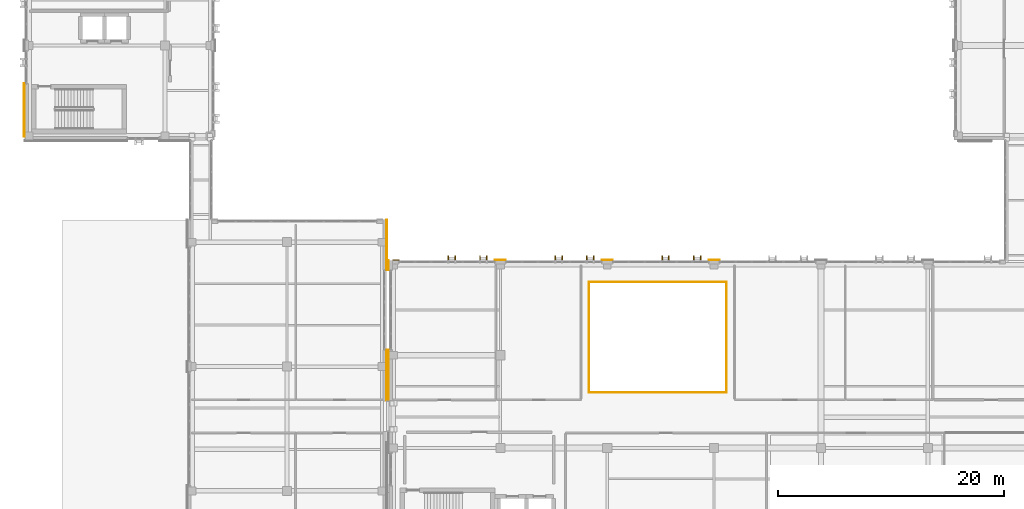
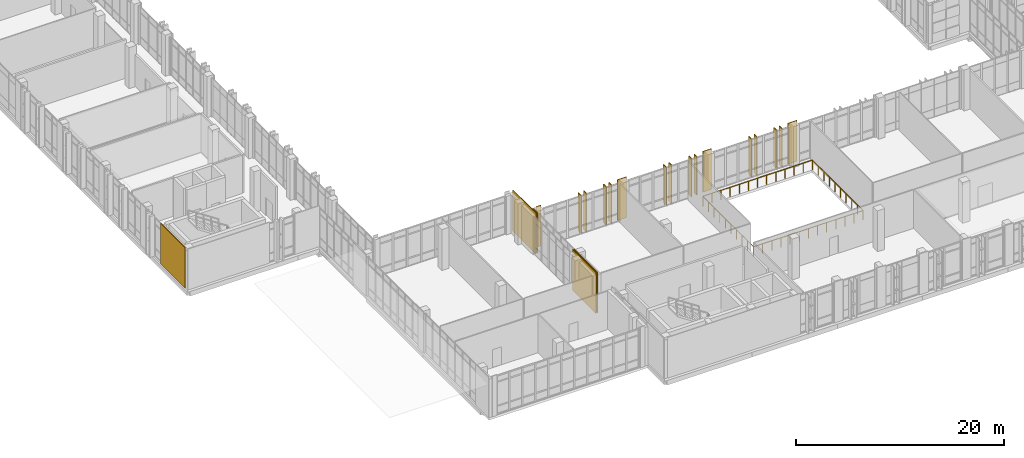
# One storey, part 171 of 189: 12 shading devices, 9 coverings, 4 railings.
"""IFC4 building model written with IfcOpenShell, lengths in metres."""

import ifcopenshell
import ifcopenshell.guid

model = None  # the IFC model being written
_history = None  # IfcOwnerHistory: only IFC2X3 demands one
_inside = {}  # id of a spatial element -> (the spatial element, [elements in it])
_under = {}  # id of a project, library or spatial element -> (it, [spatial elements below it])
_declared = {}  # id of a project -> (the project, [libraries it declares])
_typed = {}  # id of a type object -> (the type object, [elements of that type])
_made_of = {}  # id of a material, layer set ... -> (it, [elements and type objects made of it])


def new_model(schema):
    """Start an empty IFC model of exactly this schema.

    Asked for "IFC4X3", IfcOpenShell would pick the latest addendum, in which some entities
    have other attributes; the version numbers below select the first issue.
    IFC2X3 requires an IfcOwnerHistory on every rooted entity: one is made here for all.
    """
    global model, _history
    if schema == "IFC4X3":
        model = ifcopenshell.file(schema_version=(4, 3, 0, 0))
    else:
        model = ifcopenshell.file(schema=schema)
    _inside.clear()
    _under.clear()
    _declared.clear()
    _typed.clear()
    _made_of.clear()
    _history = None
    if model.schema == "IFC2X3":
        org = make("IfcOrganization", Name="unknown")
        user = make(
            "IfcPersonAndOrganization",
            ThePerson=make("IfcPerson", FamilyName="unknown"),
            TheOrganization=org,
        )
        app = make(
            "IfcApplication",
            ApplicationDeveloper=org,
            Version="unknown",
            ApplicationFullName="unknown",
            ApplicationIdentifier="unknown",
        )
        _history = make(
            "IfcOwnerHistory",
            OwningUser=user,
            OwningApplication=app,
            ChangeAction="ADDED",
            CreationDate=0,
        )
    return model


def make(cls, **values):
    """One entity of the class cls with the attributes given. An attribute that is None is left unset."""
    return model.create_entity(
        cls, **{name: value for name, value in values.items() if value is not None}
    )


def rooted(cls, **values):
    """An entity with a GlobalId (a new one), such as an element, a storey or a relation."""
    return make(cls, GlobalId=ifcopenshell.guid.new(), OwnerHistory=_history, **values)


def si_unit(unit_type, name, prefix=None):
    """IfcSIUnit, for example si_unit("LENGTHUNIT", "METRE", prefix="MILLI")."""
    return make("IfcSIUnit", UnitType=unit_type, Prefix=prefix, Name=name)


def assignment(units):
    """IfcUnitAssignment: the units of a project."""
    return None if units is None else make("IfcUnitAssignment", Units=units)


def point(xyz):
    """IfcCartesianPoint."""
    return None if xyz is None else make("IfcCartesianPoint", Coordinates=xyz)


def direction(xyz):
    """IfcDirection."""
    return None if xyz is None else make("IfcDirection", DirectionRatios=xyz)


def frame(location, z_axis=None, x_axis=None):
    """IfcAxis2Placement3D, a coordinate frame: its origin and axes. An axis left out is left unset."""
    return make(
        "IfcAxis2Placement3D",
        Location=point(location),
        Axis=direction(z_axis),
        RefDirection=direction(x_axis),
    )


def frame_2d(location, x_axis=None):
    """IfcAxis2Placement2D, a coordinate frame in the plane: its origin and x axis."""
    return make(
        "IfcAxis2Placement2D", Location=point(location), RefDirection=direction(x_axis)
    )


def origin():
    """The frame at (0, 0, 0) with its axes left unset."""
    return frame((0.0, 0.0, 0.0))


def origin_2d():
    """The frame at (0, 0) in the plane with its x axis left unset."""
    return frame_2d((0.0, 0.0))


def place(relative_to, where):
    """IfcLocalPlacement: puts the frame where relative to a parent placement (None: the world)."""
    return make(
        "IfcLocalPlacement", PlacementRelTo=relative_to, RelativePlacement=where
    )


def context(
    kind, dimensions, precision=None, world=None, true_north=None, identifier=None
):
    """IfcGeometricRepresentationContext, for example the 3D "Model" context."""
    return make(
        "IfcGeometricRepresentationContext",
        ContextIdentifier=identifier,
        ContextType=kind,
        CoordinateSpaceDimension=dimensions,
        Precision=precision,
        WorldCoordinateSystem=world,
        TrueNorth=true_north,
    )


def subcontext(parent, identifier, kind, view, scale=None):
    """IfcGeometricRepresentationSubContext, for example "Body" below "Model"."""
    return make(
        "IfcGeometricRepresentationSubContext",
        ContextIdentifier=identifier,
        ContextType=kind,
        ParentContext=parent,
        TargetScale=scale,
        TargetView=view,
    )


def project(units=None, contexts=None):
    """IfcProject with its units and contexts."""
    return rooted(
        "IfcProject",
        Name="project",
        RepresentationContexts=contexts,
        UnitsInContext=assignment(units),
    )


def spatial(cls, under=None, at=None, **own):
    """A site, building, storey or space (cls), placed at a placement, below another one or the project."""
    s = rooted(cls, ObjectPlacement=at, **own)
    if under is not None:
        _under.setdefault(under.id(), (under, []))[1].append(s)
    return s


def profile(cls, at=None, kind="AREA", **sizes):
    """A parametric profile (cls). Its sizes go by their IFC names, for example OverallWidth=200.0."""
    return make(cls, ProfileType=kind, Position=at, **sizes)


def rectangle(**sizes):
    """IfcRectangleProfileDef."""
    return profile("IfcRectangleProfileDef", **sizes)


def circle(**sizes):
    """IfcCircleProfileDef."""
    return profile("IfcCircleProfileDef", **sizes)


def extrude(swept, where, along, depth):
    """IfcExtrudedAreaSolid: the profile swept, set in the frame where, extruded along a direction by depth."""
    return make(
        "IfcExtrudedAreaSolid",
        SweptArea=swept,
        Position=where,
        ExtrudedDirection=direction(along),
        Depth=depth,
    )


def shape(context_of_items, identifier, shape_type, items):
    """IfcShapeRepresentation: the items that make up one representation, for example the "Body"."""
    return make(
        "IfcShapeRepresentation",
        ContextOfItems=context_of_items,
        RepresentationIdentifier=identifier,
        RepresentationType=shape_type,
        Items=items,
    )


def material(Name=None, Category=None):
    """IfcMaterial."""
    return make("IfcMaterial", Name=Name, Category=Category)


def layer(
    of_material, thickness, ventilated=None, Name=None, Category=None, Priority=None
):
    """IfcMaterialLayer: one layer of a wall or slab, of a material (None: an air gap)."""
    return make(
        "IfcMaterialLayer",
        Material=of_material,
        LayerThickness=thickness,
        IsVentilated=ventilated,
        Name=Name,
        Category=Category,
        Priority=Priority,
    )


def layer_set(layers, Name=None):
    """IfcMaterialLayerSet."""
    return make("IfcMaterialLayerSet", MaterialLayers=layers, LayerSetName=Name)


def made_of(thing, what):
    """Note that an element or type object is made of a material, layer set ...; save() writes the relation."""
    if what is not None:
        _made_of.setdefault(what.id(), (what, []))[1].append(thing)
    return thing


def type_object(cls, material=None, **own):
    """A type object (cls), such as IfcWallType, which elements share."""
    return made_of(rooted(cls, **own), material)


def element(
    cls,
    number,
    at=None,
    inside=None,
    cuts=None,
    type_object=None,
    material=None,
    context=None,
    identifier="Body",
    shape_type=None,
    held_by="IfcProductDefinitionShape",
    body=None,
    shapes=None,
    **own,
):
    """One element of the class cls, such as IfcWall. Its Tag is "e" and its number.

    at: its placement. inside: the storey or other place that contains it. cuts: it is an
    opening in that element (IfcRelVoidsElement). A single representation is given by context,
    identifier, shape_type and body (its items); several are given by shapes. held_by: the class
    of the entity that holds the representations. save() writes the other relations.
    """
    e = rooted(cls, Tag="e%d" % number, ObjectPlacement=at, **own)
    if body is not None:
        shapes = [shape(context, identifier, shape_type, body)]
    if shapes is not None:
        e.Representation = make(held_by, Representations=shapes)
    if inside is not None:
        _inside.setdefault(inside.id(), (inside, []))[1].append(e)
    if cuts is not None:
        rooted(
            "IfcRelVoidsElement", RelatingBuildingElement=cuts, RelatedOpeningElement=e
        )
    if type_object is not None:
        _typed.setdefault(type_object.id(), (type_object, []))[1].append(e)
    return made_of(e, material)


def aggregate(whole, parts):
    """IfcRelAggregates: a whole, such as a stair, and the parts it consists of."""
    return rooted("IfcRelAggregates", RelatingObject=whole, RelatedObjects=parts)


def save(model, path):
    """Write the relations noted so far, then the file.

    IfcRelAggregates (storeys below a building ...), IfcRelContainedInSpatialStructure (elements
    in a storey), IfcRelDefinesByType, IfcRelAssociatesMaterial and IfcRelDeclares: one each for
    every whole, place, type object, material and project.
    """
    for whole, parts in _under.values():
        aggregate(whole, parts)
    for where, things in _inside.values():
        rooted(
            "IfcRelContainedInSpatialStructure",
            RelatedElements=things,
            RelatingStructure=where,
        )
    for kind, things in _typed.values():
        rooted("IfcRelDefinesByType", RelatedObjects=things, RelatingType=kind)
    for what, things in _made_of.values():
        rooted("IfcRelAssociatesMaterial", RelatedObjects=things, RelatingMaterial=what)
    for by, libraries in _declared.values():
        rooted("IfcRelDeclares", RelatingContext=by, RelatedDefinitions=libraries)
    model.write(path)


model = new_model("IFC4")

# Units and contexts
model_context = context("Model", 3, precision=1e-05, world=origin(), true_north=direction((0.0, 1.0)))
body_context = subcontext(model_context, "Body", "Model", "MODEL_VIEW")
ifc_project = project(units=[si_unit("LENGTHUNIT", "METRE"), si_unit("AREAUNIT", "SQUARE_METRE"), si_unit("VOLUMEUNIT", "CUBIC_METRE"), si_unit("PLANEANGLEUNIT", "RADIAN"), si_unit("MASSUNIT", "GRAM", prefix="KILO")], contexts=[model_context])

# Site, building, storey
site_placement = place(None, origin())
site = spatial("IfcSite", under=ifc_project, at=site_placement, CompositionType="ELEMENT")
building_placement = place(site_placement, origin())
building = spatial("IfcBuilding", under=site, at=building_placement, Name="Qalavern Law Courts", CompositionType="ELEMENT")
storey_placement = place(building_placement, frame((0.0, 0.0, 5.39990234375)))
storey = spatial("IfcBuildingStorey", under=building, at=storey_placement, Name="L01", CompositionType="ELEMENT", Elevation=5.39990234375)

# Coverings
ifc_material_1 = material(Name="Precast concrete C40/50", Category="concrete")
ifc_layer = layer(ifc_material_1, 0.072021484375)
ifc_layer_set = layer_set([ifc_layer], Name="Precast concrete C40/50")
covering_type = type_object("IfcCoveringType", Name="ENV-CLD-2", PredefinedType="CLADDING", material=ifc_layer_set)
covering_1_placement = place(storey_placement, frame((34.032958984375, 20.22509765625, 0.01025390625), z_axis=(0.0, 0.0, 1.0), x_axis=(0.0, 1.0, 0.0)))
element("IfcCovering", 1, at=covering_1_placement, inside=storey, type_object=covering_type, Name="V1 Absheron limestone pier facing L01 east 1", PredefinedType="CLADDING", context=body_context, shape_type="SweptSolid", body=[
    extrude(rectangle(XDim=4.530029296875, YDim=0.072021484375, at=origin_2d()), origin(), (0.0, 0.0, 1.0), 4.780029296875),
])
covering_2_placement = place(storey_placement, frame((34.032958984375, 31.75, 0.01025390625), z_axis=(0.0, 0.0, 1.0), x_axis=(0.0, 1.0, 0.0)))
element("IfcCovering", 2, at=covering_2_placement, inside=storey, type_object=covering_type, Name="V1 Absheron limestone pier facing L01 east 2", PredefinedType="CLADDING", context=body_context, shape_type="SweptSolid", body=[
    extrude(rectangle(XDim=4.47998046875, YDim=0.072021484375, at=origin_2d()), origin(), (0.0, 0.0, 1.0), 4.780029296875),
])
for number, where, z_axis, x_axis, name in (
    (3, (62.98291015625, 30.43310546875, 0.01025390625), (0.0, 0.0, 1.0), (-1.0, 0.0, 0.0), "V2 Absheron limestone pier facing L01 north 4"),
    (4, (53.528564453125, 30.43310546875, 0.01025390625), (0.0, 0.0, 1.0), (-1.0, 0.0, 0.0), "V2 Absheron limestone pier facing L01 north 5"),
    (5, (44.07421875, 30.43310546875, 0.01025390625), (0.0, 0.0, 1.0), (-1.0, 0.0, 0.0), "V2 Absheron limestone pier facing L01 north 6"),
):
    element("IfcCovering", number, at=place(storey_placement, frame(where, z_axis=z_axis, x_axis=x_axis)), inside=storey, type_object=covering_type, Name=name, PredefinedType="CLADDING", context=body_context, shape_type="SweptSolid", body=[
        extrude(rectangle(XDim=0.97998046875, YDim=0.072021484375, at=origin_2d()), origin(), (0.0, 0.0, 1.0), 4.780029296875),
    ])
covering_3_placement = place(storey_placement, frame((34.830078125, 30.43310546875, 0.01025390625), z_axis=(0.0, 0.0, 1.0), x_axis=(-1.0, 0.0, 0.0)))
element("IfcCovering", 6, at=covering_3_placement, inside=storey, type_object=covering_type, Name="V2 Absheron limestone pier facing L01 north 7", PredefinedType="CLADDING", context=body_context, shape_type="SweptSolid", body=[
    extrude(rectangle(XDim=0.56005859375, YDim=0.072021484375, at=origin_2d()), origin(), (0.0, 0.0, 1.0), 4.780029296875),
])
covering_4_placement = place(storey_placement, frame((34.18701171875, 29.949951171875, 0.01025390625), z_axis=(0.0, 0.0, 1.0), x_axis=(0.0, -1.0, 0.0)))
element("IfcCovering", 7, at=covering_4_placement, inside=storey, type_object=covering_type, Name="V2 Absheron limestone pier facing L01 west 1", PredefinedType="CLADDING", context=body_context, shape_type="SweptSolid", body=[
    extrude(rectangle(XDim=0.8798828125, YDim=0.072021484375, at=origin_2d()), origin(), (0.0, 0.0, 1.0), 4.780029296875),
])
covering_5_placement = place(storey_placement, frame((34.18701171875, 20.22509765625, 0.01025390625), z_axis=(0.0, 0.0, 1.0), x_axis=(0.0, -1.0, 0.0)))
element("IfcCovering", 8, at=covering_5_placement, inside=storey, type_object=covering_type, Name="V2 Absheron limestone pier facing L01 west 2", PredefinedType="CLADDING", context=body_context, shape_type="SweptSolid", body=[
    extrude(rectangle(XDim=4.530029296875, YDim=0.072021484375, at=origin_2d()), origin(), (0.0, 0.0, 1.0), 4.780029296875),
])
covering_6_placement = place(storey_placement, frame((1.967041015625, 43.695068359375, 0.01025390625), z_axis=(0.0, 0.0, 1.0), x_axis=(0.0, -1.0, 0.0)))
element("IfcCovering", 9, at=covering_6_placement, inside=storey, type_object=covering_type, Name="V3 Absheron limestone pier facing L01 west 8", PredefinedType="CLADDING", context=body_context, shape_type="SweptSolid", body=[
    extrude(rectangle(XDim=4.68994140625, YDim=0.072021484375, at=origin_2d()), origin(), (0.0, 0.0, 1.0), 4.780029296875),
])

# Shading devices
shading_device_type = type_object("IfcShadingDeviceType", Name="ENV-FIN-1", PredefinedType="USERDEFINED", material=ifc_material_1)
for number, where, z_axis, x_axis, name in (
    (10, (61.782958984375, 30.547607421875, 0.01025390625), (0.0, 0.0, 1.0), (0.0, 1.0, 0.0), "Hall solar shading fin 0037"),
    (11, (61.182861328125, 30.547607421875, 0.01025390625), (0.0, 0.0, 1.0), (0.0, 1.0, 0.0), "Hall solar shading fin 0038"),
    (12, (58.98291015625, 30.547607421875, 0.01025390625), (0.0, 0.0, 1.0), (0.0, 1.0, 0.0), "Hall solar shading fin 0039"),
    (13, (58.3828125, 30.547607421875, 0.01025390625), (0.0, 0.0, 1.0), (0.0, 1.0, 0.0), "Hall solar shading fin 0040"),
    (14, (52.32861328125, 30.547607421875, 0.01025390625), (0.0, 0.0, 1.0), (0.0, 1.0, 0.0), "Hall solar shading fin 0041"),
    (15, (51.728515625, 30.547607421875, 0.01025390625), (0.0, 0.0, 1.0), (0.0, 1.0, 0.0), "Hall solar shading fin 0042"),
    (16, (49.528564453125, 30.547607421875, 0.01025390625), (0.0, 0.0, 1.0), (0.0, 1.0, 0.0), "Hall solar shading fin 0043"),
    (17, (48.9287109375, 30.547607421875, 0.01025390625), (0.0, 0.0, 1.0), (0.0, 1.0, 0.0), "Hall solar shading fin 0044"),
    (18, (42.874267578125, 30.547607421875, 0.01025390625), (0.0, 0.0, 1.0), (0.0, 1.0, 0.0), "Hall solar shading fin 0045"),
    (19, (42.2744140625, 30.547607421875, 0.01025390625), (0.0, 0.0, 1.0), (0.0, 1.0, 0.0), "Hall solar shading fin 0046"),
    (20, (40.07421875, 30.547607421875, 0.01025390625), (0.0, 0.0, 1.0), (0.0, 1.0, 0.0), "Hall solar shading fin 0047"),
    (21, (39.474365234375, 30.547607421875, 0.01025390625), (0.0, 0.0, 1.0), (0.0, 1.0, 0.0), "Hall solar shading fin 0048"),
):
    element("IfcShadingDevice", number, at=place(storey_placement, frame(where, z_axis=z_axis, x_axis=x_axis)), inside=storey, type_object=shading_device_type, Name=name, ObjectType="FIN", PredefinedType="USERDEFINED", context=body_context, shape_type="SweptSolid", body=[
        extrude(rectangle(XDim=0.5400390625, YDim=0.0849609375, at=origin_2d()), origin(), (0.0, 0.0, 1.0), 4.489990234375),
    ])

# Railings
ifc_material_2 = material(Name="Steel S355", Category="steel")
railing_type = type_object("IfcRailingType", Name="INT-GUARD-1120", PredefinedType="BALUSTRADE", material=ifc_material_2)
railing_1_placement = place(storey_placement, frame((51.919921875, 18.719970703125, 0.0)))
element("IfcRailing", 22, at=railing_1_placement, inside=storey, type_object=railing_type, Name="V2 atrium gallery void balustrade L01-1.1", PredefinedType="BALUSTRADE", context=body_context, shape_type="SweptSolid", body=[
    extrude(circle(Radius=0.02392578125, at=origin_2d()), frame((0.0, 0.0, 1.09619140625), z_axis=(1.0, 0.0, 0.0), x_axis=(0.0, 1.0, 0.0)), (0.0, 0.0, 1.0), 12.16015625),
    extrude(circle(Radius=0.02099609375, at=origin_2d()), origin(), (0.0, 0.0, 1.0), 1.072021484375),
    extrude(circle(Radius=0.02099609375, at=origin_2d()), frame((1.013427734375, 0.0, 0.0)), (0.0, 0.0, 1.0), 1.072021484375),
    extrude(circle(Radius=0.02099609375, at=origin_2d()), frame((2.026611328125, 0.0, 0.0)), (0.0, 0.0, 1.0), 1.072021484375),
    extrude(circle(Radius=0.02099609375, at=origin_2d()), frame((3.0400390625, 0.0, 0.0)), (0.0, 0.0, 1.0), 1.072021484375),
    extrude(circle(Radius=0.02099609375, at=origin_2d()), frame((4.053466796875, 0.0, 0.0)), (0.0, 0.0, 1.0), 1.072021484375),
    extrude(circle(Radius=0.02099609375, at=origin_2d()), frame((5.066650390625, 0.0, 0.0)), (0.0, 0.0, 1.0), 1.072021484375),
    extrude(circle(Radius=0.02099609375, at=origin_2d()), frame((6.080078125, 0.0, 0.0)), (0.0, 0.0, 1.0), 1.072021484375),
    extrude(circle(Radius=0.02099609375, at=origin_2d()), frame((7.093505859375, 0.0, 0.0)), (0.0, 0.0, 1.0), 1.072021484375),
    extrude(circle(Radius=0.02099609375, at=origin_2d()), frame((8.106689453125, 0.0, 0.0)), (0.0, 0.0, 1.0), 1.072021484375),
    extrude(circle(Radius=0.02099609375, at=origin_2d()), frame((9.1201171875, 0.0, 0.0)), (0.0, 0.0, 1.0), 1.072021484375),
    extrude(circle(Radius=0.02099609375, at=origin_2d()), frame((10.133544921875, 0.0, 0.0)), (0.0, 0.0, 1.0), 1.072021484375),
    extrude(circle(Radius=0.02099609375, at=origin_2d()), frame((11.146728515625, 0.0, 0.0)), (0.0, 0.0, 1.0), 1.072021484375),
    extrude(circle(Radius=0.02099609375, at=origin_2d()), frame((12.16015625, 0.0, 0.0)), (0.0, 0.0, 1.0), 1.072021484375),
])
railing_2_placement = place(storey_placement, frame((64.080078125, 18.77001953125, 0.0)))
element("IfcRailing", 23, at=railing_2_placement, inside=storey, type_object=railing_type, Name="V2 atrium gallery void balustrade L01-1.2", PredefinedType="BALUSTRADE", context=body_context, shape_type="SweptSolid", body=[
    extrude(circle(Radius=0.02392578125, at=origin_2d()), frame((0.0, 0.0, 1.09619140625), z_axis=(0.0, 1.0, 0.0), x_axis=(-1.0, 0.0, 0.0)), (0.0, 0.0, 1.0), 9.659912109375),
    extrude(circle(Radius=0.02099609375, at=origin_2d()), origin(), (0.0, 0.0, 1.0), 1.072021484375),
    extrude(circle(Radius=0.02099609375, at=origin_2d()), frame((0.0, 1.0732421875, 0.0)), (0.0, 0.0, 1.0), 1.072021484375),
    extrude(circle(Radius=0.02099609375, at=origin_2d()), frame((0.0, 2.146728515625, 0.0)), (0.0, 0.0, 1.0), 1.072021484375),
    extrude(circle(Radius=0.02099609375, at=origin_2d()), frame((0.0, 3.219970703125, 0.0)), (0.0, 0.0, 1.0), 1.072021484375),
    extrude(circle(Radius=0.02099609375, at=origin_2d()), frame((0.0, 4.293212890625, 0.0)), (0.0, 0.0, 1.0), 1.072021484375),
    extrude(circle(Radius=0.02099609375, at=origin_2d()), frame((0.0, 5.36669921875, 0.0)), (0.0, 0.0, 1.0), 1.072021484375),
    extrude(circle(Radius=0.02099609375, at=origin_2d()), frame((0.0, 6.43994140625, 0.0)), (0.0, 0.0, 1.0), 1.072021484375),
    extrude(circle(Radius=0.02099609375, at=origin_2d()), frame((0.0, 7.51318359375, 0.0)), (0.0, 0.0, 1.0), 1.072021484375),
    extrude(circle(Radius=0.02099609375, at=origin_2d()), frame((0.0, 8.586669921875, 0.0)), (0.0, 0.0, 1.0), 1.072021484375),
    extrude(circle(Radius=0.02099609375, at=origin_2d()), frame((0.0, 9.659912109375, 0.0)), (0.0, 0.0, 1.0), 1.072021484375),
])
railing_3_placement = place(storey_placement, frame((64.080078125, 28.47998046875, 0.0)))
element("IfcRailing", 24, at=railing_3_placement, inside=storey, type_object=railing_type, Name="V2 atrium gallery void balustrade L01-1.3", PredefinedType="BALUSTRADE", context=body_context, shape_type="SweptSolid", body=[
    extrude(circle(Radius=0.02392578125, at=origin_2d()), frame((0.0, 0.0, 1.09619140625), z_axis=(-1.0, 0.0, 0.0), x_axis=(0.0, -1.0, 0.0)), (0.0, 0.0, 1.0), 12.16015625),
    extrude(circle(Radius=0.02099609375, at=origin_2d()), origin(), (0.0, 0.0, 1.0), 1.072021484375),
    extrude(circle(Radius=0.02099609375, at=origin_2d()), frame((-1.013427734375, 0.0, 0.0)), (0.0, 0.0, 1.0), 1.072021484375),
    extrude(circle(Radius=0.02099609375, at=origin_2d()), frame((-2.026611328125, 0.0, 0.0)), (0.0, 0.0, 1.0), 1.072021484375),
    extrude(circle(Radius=0.02099609375, at=origin_2d()), frame((-3.0400390625, 0.0, 0.0)), (0.0, 0.0, 1.0), 1.072021484375),
    extrude(circle(Radius=0.02099609375, at=origin_2d()), frame((-4.053466796875, 0.0, 0.0)), (0.0, 0.0, 1.0), 1.072021484375),
    extrude(circle(Radius=0.02099609375, at=origin_2d()), frame((-5.066650390625, 0.0, 0.0)), (0.0, 0.0, 1.0), 1.072021484375),
    extrude(circle(Radius=0.02099609375, at=origin_2d()), frame((-6.080078125, 0.0, 0.0)), (0.0, 0.0, 1.0), 1.072021484375),
    extrude(circle(Radius=0.02099609375, at=origin_2d()), frame((-7.093505859375, 0.0, 0.0)), (0.0, 0.0, 1.0), 1.072021484375),
    extrude(circle(Radius=0.02099609375, at=origin_2d()), frame((-8.106689453125, 0.0, 0.0)), (0.0, 0.0, 1.0), 1.072021484375),
    extrude(circle(Radius=0.02099609375, at=origin_2d()), frame((-9.1201171875, 0.0, 0.0)), (0.0, 0.0, 1.0), 1.072021484375),
    extrude(circle(Radius=0.02099609375, at=origin_2d()), frame((-10.133544921875, 0.0, 0.0)), (0.0, 0.0, 1.0), 1.072021484375),
    extrude(circle(Radius=0.02099609375, at=origin_2d()), frame((-11.146728515625, 0.0, 0.0)), (0.0, 0.0, 1.0), 1.072021484375),
    extrude(circle(Radius=0.02099609375, at=origin_2d()), frame((-12.16015625, 0.0, 0.0)), (0.0, 0.0, 1.0), 1.072021484375),
])
railing_4_placement = place(storey_placement, frame((51.919921875, 28.429931640625, 0.0)))
element("IfcRailing", 25, at=railing_4_placement, inside=storey, type_object=railing_type, Name="V2 atrium gallery void balustrade L01-1.4", PredefinedType="BALUSTRADE", context=body_context, shape_type="SweptSolid", body=[
    extrude(circle(Radius=0.02392578125, at=origin_2d()), frame((0.0, 0.0, 1.09619140625), z_axis=(0.0, -1.0, 0.0), x_axis=(1.0, 0.0, 0.0)), (0.0, 0.0, 1.0), 9.659912109375),
    extrude(circle(Radius=0.02099609375, at=origin_2d()), origin(), (0.0, 0.0, 1.0), 1.072021484375),
    extrude(circle(Radius=0.02099609375, at=origin_2d()), frame((0.0, -1.0732421875, 0.0)), (0.0, 0.0, 1.0), 1.072021484375),
    extrude(circle(Radius=0.02099609375, at=origin_2d()), frame((0.0, -2.146728515625, 0.0)), (0.0, 0.0, 1.0), 1.072021484375),
    extrude(circle(Radius=0.02099609375, at=origin_2d()), frame((0.0, -3.219970703125, 0.0)), (0.0, 0.0, 1.0), 1.072021484375),
    extrude(circle(Radius=0.02099609375, at=origin_2d()), frame((0.0, -4.293212890625, 0.0)), (0.0, 0.0, 1.0), 1.072021484375),
    extrude(circle(Radius=0.02099609375, at=origin_2d()), frame((0.0, -5.36669921875, 0.0)), (0.0, 0.0, 1.0), 1.072021484375),
    extrude(circle(Radius=0.02099609375, at=origin_2d()), frame((0.0, -6.43994140625, 0.0)), (0.0, 0.0, 1.0), 1.072021484375),
    extrude(circle(Radius=0.02099609375, at=origin_2d()), frame((0.0, -7.51318359375, 0.0)), (0.0, 0.0, 1.0), 1.072021484375),
    extrude(circle(Radius=0.02099609375, at=origin_2d()), frame((0.0, -8.586669921875, 0.0)), (0.0, 0.0, 1.0), 1.072021484375),
    extrude(circle(Radius=0.02099609375, at=origin_2d()), frame((0.0, -9.659912109375, 0.0)), (0.0, 0.0, 1.0), 1.072021484375),
])

save(model, "model.ifc")
